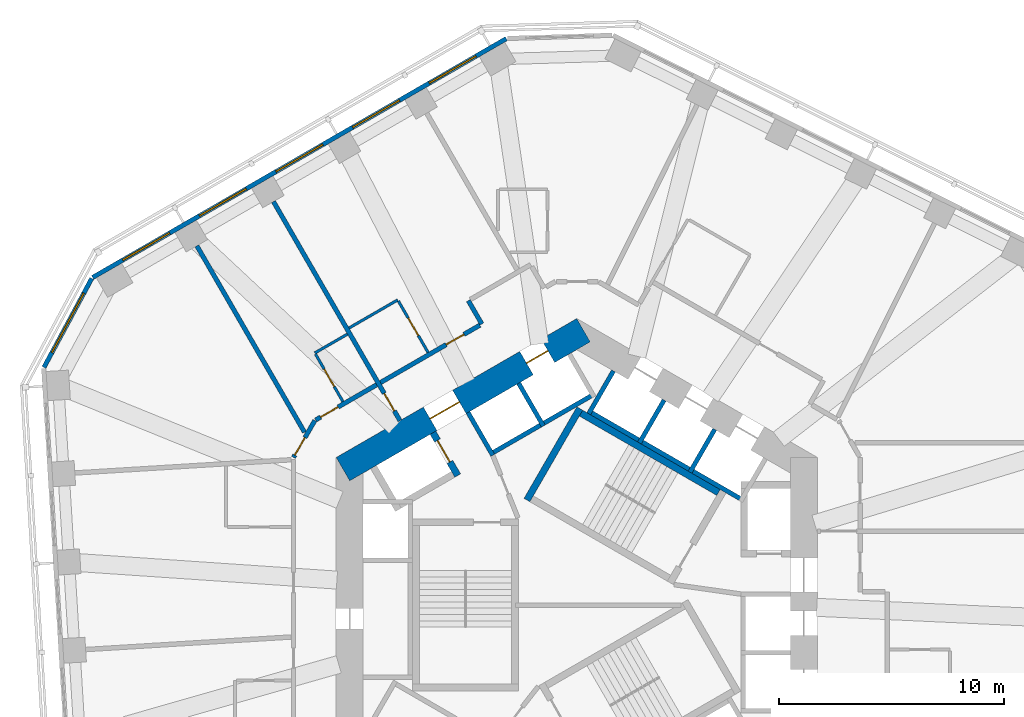
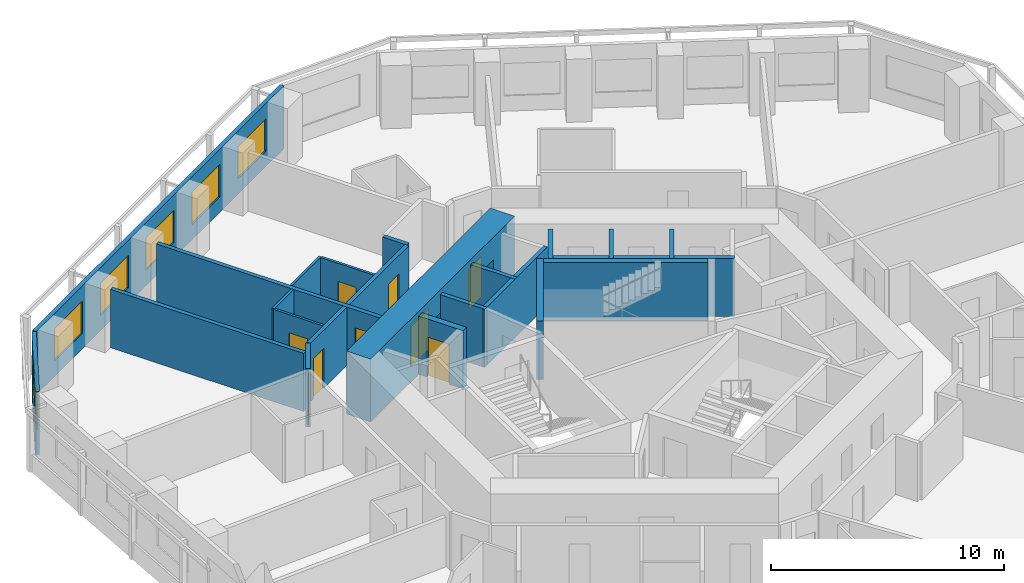
# One storey, part 7 of 11: 23 walls, 9 doors, 6 windows, 15 openings.
"""IFC4 building model written with IfcOpenShell, lengths in metres."""

import ifcopenshell
import ifcopenshell.guid

model = None  # the IFC model being written
_history = None  # IfcOwnerHistory: only IFC2X3 demands one
_inside = {}  # id of a spatial element -> (the spatial element, [elements in it])
_under = {}  # id of a project, library or spatial element -> (it, [spatial elements below it])
_declared = {}  # id of a project -> (the project, [libraries it declares])
_typed = {}  # id of a type object -> (the type object, [elements of that type])
_made_of = {}  # id of a material, layer set ... -> (it, [elements and type objects made of it])


def new_model(schema):
    """Start an empty IFC model of exactly this schema.

    Asked for "IFC4X3", IfcOpenShell would pick the latest addendum, in which some entities
    have other attributes; the version numbers below select the first issue.
    IFC2X3 requires an IfcOwnerHistory on every rooted entity: one is made here for all.
    """
    global model, _history
    if schema == "IFC4X3":
        model = ifcopenshell.file(schema_version=(4, 3, 0, 0))
    else:
        model = ifcopenshell.file(schema=schema)
    _inside.clear()
    _under.clear()
    _declared.clear()
    _typed.clear()
    _made_of.clear()
    _history = None
    if model.schema == "IFC2X3":
        org = make("IfcOrganization", Name="unknown")
        user = make(
            "IfcPersonAndOrganization",
            ThePerson=make("IfcPerson", FamilyName="unknown"),
            TheOrganization=org,
        )
        app = make(
            "IfcApplication",
            ApplicationDeveloper=org,
            Version="unknown",
            ApplicationFullName="unknown",
            ApplicationIdentifier="unknown",
        )
        _history = make(
            "IfcOwnerHistory",
            OwningUser=user,
            OwningApplication=app,
            ChangeAction="ADDED",
            CreationDate=0,
        )
    return model


def make(cls, **values):
    """One entity of the class cls with the attributes given. An attribute that is None is left unset."""
    return model.create_entity(
        cls, **{name: value for name, value in values.items() if value is not None}
    )


def rooted(cls, **values):
    """An entity with a GlobalId (a new one), such as an element, a storey or a relation."""
    return make(cls, GlobalId=ifcopenshell.guid.new(), OwnerHistory=_history, **values)


def si_unit(unit_type, name, prefix=None):
    """IfcSIUnit, for example si_unit("LENGTHUNIT", "METRE", prefix="MILLI")."""
    return make("IfcSIUnit", UnitType=unit_type, Prefix=prefix, Name=name)


def assignment(units):
    """IfcUnitAssignment: the units of a project."""
    return None if units is None else make("IfcUnitAssignment", Units=units)


def point(xyz):
    """IfcCartesianPoint."""
    return None if xyz is None else make("IfcCartesianPoint", Coordinates=xyz)


def direction(xyz):
    """IfcDirection."""
    return None if xyz is None else make("IfcDirection", DirectionRatios=xyz)


def frame(location, z_axis=None, x_axis=None):
    """IfcAxis2Placement3D, a coordinate frame: its origin and axes. An axis left out is left unset."""
    return make(
        "IfcAxis2Placement3D",
        Location=point(location),
        Axis=direction(z_axis),
        RefDirection=direction(x_axis),
    )


def frame_2d(location, x_axis=None):
    """IfcAxis2Placement2D, a coordinate frame in the plane: its origin and x axis."""
    return make(
        "IfcAxis2Placement2D", Location=point(location), RefDirection=direction(x_axis)
    )


def origin():
    """The frame at (0, 0, 0) with its axes left unset."""
    return frame((0.0, 0.0, 0.0))


def place(relative_to, where):
    """IfcLocalPlacement: puts the frame where relative to a parent placement (None: the world)."""
    return make(
        "IfcLocalPlacement", PlacementRelTo=relative_to, RelativePlacement=where
    )


def context(
    kind, dimensions, precision=None, world=None, true_north=None, identifier=None
):
    """IfcGeometricRepresentationContext, for example the 3D "Model" context."""
    return make(
        "IfcGeometricRepresentationContext",
        ContextIdentifier=identifier,
        ContextType=kind,
        CoordinateSpaceDimension=dimensions,
        Precision=precision,
        WorldCoordinateSystem=world,
        TrueNorth=true_north,
    )


def subcontext(parent, identifier, kind, view, scale=None):
    """IfcGeometricRepresentationSubContext, for example "Body" below "Model"."""
    return make(
        "IfcGeometricRepresentationSubContext",
        ContextIdentifier=identifier,
        ContextType=kind,
        ParentContext=parent,
        TargetScale=scale,
        TargetView=view,
    )


def project(units=None, contexts=None):
    """IfcProject with its units and contexts."""
    return rooted(
        "IfcProject",
        Name="project",
        RepresentationContexts=contexts,
        UnitsInContext=assignment(units),
    )


def spatial(cls, under=None, at=None, **own):
    """A site, building, storey or space (cls), placed at a placement, below another one or the project."""
    s = rooted(cls, ObjectPlacement=at, **own)
    if under is not None:
        _under.setdefault(under.id(), (under, []))[1].append(s)
    return s


def profile(cls, at=None, kind="AREA", **sizes):
    """A parametric profile (cls). Its sizes go by their IFC names, for example OverallWidth=200.0."""
    return make(cls, ProfileType=kind, Position=at, **sizes)


def rectangle(**sizes):
    """IfcRectangleProfileDef."""
    return profile("IfcRectangleProfileDef", **sizes)


def extrude(swept, where, along, depth):
    """IfcExtrudedAreaSolid: the profile swept, set in the frame where, extruded along a direction by depth."""
    return make(
        "IfcExtrudedAreaSolid",
        SweptArea=swept,
        Position=where,
        ExtrudedDirection=direction(along),
        Depth=depth,
    )


def shape(context_of_items, identifier, shape_type, items):
    """IfcShapeRepresentation: the items that make up one representation, for example the "Body"."""
    return make(
        "IfcShapeRepresentation",
        ContextOfItems=context_of_items,
        RepresentationIdentifier=identifier,
        RepresentationType=shape_type,
        Items=items,
    )


def material(Name=None, Category=None):
    """IfcMaterial."""
    return make("IfcMaterial", Name=Name, Category=Category)


def layer(
    of_material, thickness, ventilated=None, Name=None, Category=None, Priority=None
):
    """IfcMaterialLayer: one layer of a wall or slab, of a material (None: an air gap)."""
    return make(
        "IfcMaterialLayer",
        Material=of_material,
        LayerThickness=thickness,
        IsVentilated=ventilated,
        Name=Name,
        Category=Category,
        Priority=Priority,
    )


def layer_set(layers, Name=None):
    """IfcMaterialLayerSet."""
    return make("IfcMaterialLayerSet", MaterialLayers=layers, LayerSetName=Name)


def made_of(thing, what):
    """Note that an element or type object is made of a material, layer set ...; save() writes the relation."""
    if what is not None:
        _made_of.setdefault(what.id(), (what, []))[1].append(thing)
    return thing


def type_object(cls, material=None, **own):
    """A type object (cls), such as IfcWallType, which elements share."""
    return made_of(rooted(cls, **own), material)


def element(
    cls,
    number,
    at=None,
    inside=None,
    cuts=None,
    type_object=None,
    material=None,
    context=None,
    identifier="Body",
    shape_type=None,
    held_by="IfcProductDefinitionShape",
    body=None,
    shapes=None,
    **own,
):
    """One element of the class cls, such as IfcWall. Its Tag is "e" and its number.

    at: its placement. inside: the storey or other place that contains it. cuts: it is an
    opening in that element (IfcRelVoidsElement). A single representation is given by context,
    identifier, shape_type and body (its items); several are given by shapes. held_by: the class
    of the entity that holds the representations. save() writes the other relations.
    """
    e = rooted(cls, Tag="e%d" % number, ObjectPlacement=at, **own)
    if body is not None:
        shapes = [shape(context, identifier, shape_type, body)]
    if shapes is not None:
        e.Representation = make(held_by, Representations=shapes)
    if inside is not None:
        _inside.setdefault(inside.id(), (inside, []))[1].append(e)
    if cuts is not None:
        rooted(
            "IfcRelVoidsElement", RelatingBuildingElement=cuts, RelatedOpeningElement=e
        )
    if type_object is not None:
        _typed.setdefault(type_object.id(), (type_object, []))[1].append(e)
    return made_of(e, material)


def fill(opening, filler):
    """IfcRelFillsElement: the door or window that sits in an opening."""
    return rooted(
        "IfcRelFillsElement",
        RelatingOpeningElement=opening,
        RelatedBuildingElement=filler,
    )


def aggregate(whole, parts):
    """IfcRelAggregates: a whole, such as a stair, and the parts it consists of."""
    return rooted("IfcRelAggregates", RelatingObject=whole, RelatedObjects=parts)


def save(model, path):
    """Write the relations noted so far, then the file.

    IfcRelAggregates (storeys below a building ...), IfcRelContainedInSpatialStructure (elements
    in a storey), IfcRelDefinesByType, IfcRelAssociatesMaterial and IfcRelDeclares: one each for
    every whole, place, type object, material and project.
    """
    for whole, parts in _under.values():
        aggregate(whole, parts)
    for where, things in _inside.values():
        rooted(
            "IfcRelContainedInSpatialStructure",
            RelatedElements=things,
            RelatingStructure=where,
        )
    for kind, things in _typed.values():
        rooted("IfcRelDefinesByType", RelatedObjects=things, RelatingType=kind)
    for what, things in _made_of.values():
        rooted("IfcRelAssociatesMaterial", RelatedObjects=things, RelatingMaterial=what)
    for by, libraries in _declared.values():
        rooted("IfcRelDeclares", RelatingContext=by, RelatedDefinitions=libraries)
    model.write(path)


model = new_model("IFC4")

# Units and contexts
model_context = context("Model", 3, precision=1e-05, world=origin(), true_north=direction((0.0, 1.0)))
body_context = subcontext(model_context, "Body", "Model", "MODEL_VIEW")
ifc_project = project(units=[si_unit("LENGTHUNIT", "METRE"), si_unit("AREAUNIT", "SQUARE_METRE"), si_unit("VOLUMEUNIT", "CUBIC_METRE"), si_unit("PLANEANGLEUNIT", "RADIAN"), si_unit("MASSUNIT", "GRAM", prefix="KILO")], contexts=[model_context])

# Site, building, storey
site_placement = place(None, origin())
site = spatial("IfcSite", under=ifc_project, at=site_placement, CompositionType="ELEMENT")
building_placement = place(site_placement, origin())
building = spatial("IfcBuilding", under=site, at=building_placement, Name="Vanh Sen Convention Tower", CompositionType="ELEMENT")
storey_placement = place(building_placement, frame((0.0, 0.0, 100.10009765625)))
storey = spatial("IfcBuildingStorey", under=building, at=storey_placement, Name="L23", CompositionType="ELEMENT", Elevation=100.10009765625)

# Wall
ifc_material_1 = material(Name="Moisture-resistant gypsum board on steel studs", Category="steel")
ifc_layer_1 = layer(ifc_material_1, 0.1201171875)
ifc_layer_set_1 = layer_set([ifc_layer_1], Name="Moisture-resistant gypsum board on steel studs")
wall_type_1 = type_object("IfcWallType", Name="Bathroom partition 120", PredefinedType="PARTITIONING", material=ifc_layer_set_1)
wall_1_placement = place(storey_placement, frame((-11.65087890625, 10.82470703125, 0.0), z_axis=(0.0, 0.0, 1.0), x_axis=(0.865998477143, 0.500046635412, 0.0)))
element("IfcWall", 1, at=wall_1_placement, inside=storey, type_object=wall_type_1, Name="Bathroom partition 120", PredefinedType="PARTITIONING", context=body_context, shape_type="SweptSolid", body=[
    extrude(rectangle(XDim=1.673095703125, YDim=0.1201171875, at=frame_2d((0.83642578125, 0.0))), origin(), (0.0, 0.0, 1.0), 3.0498046875),
])

# Wall, opening, door
wall_2_placement = place(storey_placement, frame((-10.40087890625, 8.65966796875, 0.0), z_axis=(0.0, 0.0, 1.0), x_axis=(-0.500077547548, 0.865980627057, 0.0)))
wall_2 = element("IfcWall", 2, at=wall_2_placement, inside=storey, type_object=wall_type_1, Name="Bathroom partition 120", PredefinedType="PARTITIONING", context=body_context, shape_type="SweptSolid", body=[
    extrude(rectangle(XDim=2.43994140625, YDim=0.1201171875, at=frame_2d((1.219970703125, 0.0))), origin(), (0.0, 0.0, 1.0), 3.0498046875),
])
opening_1_placement = place(wall_2_placement, frame((0.77001953125, 0.0, 0.0)))
opening_1 = element("IfcOpeningElement", 3, at=opening_1_placement, cuts=wall_2, Name="Opening D22112", PredefinedType="OPENING", context=body_context, shape_type="SweptSolid", body=[
    extrude(rectangle(XDim=0.89990234375, YDim=2.10009765625, at=frame_2d((0.449951171875, 1.050048828125))), frame((0.0, 0.070068359375, 0.0), z_axis=(0.0, -1.0, 0.0), x_axis=(1.0, 0.0, 0.0)), (0.0, 0.0, 1.0), 0.14013671875),
])
ifc_material_2 = material(Name="Laminate door in steel frame", Category="steel")
door_type_1 = type_object("IfcDoorType", Name="En-suite door 900", OperationType="SINGLE_SWING_LEFT", PredefinedType="DOOR", material=ifc_material_2)
door_1_placement = place(opening_1_placement, origin())
door_1 = element("IfcDoor", 4, at=door_1_placement, inside=storey, type_object=door_type_1, Name="En-suite door D22112", OperationType="SINGLE_SWING_LEFT", OverallHeight=2.10009765625, OverallWidth=0.89990234375, PredefinedType="DOOR", context=body_context, shape_type="SweptSolid", body=[
    extrude(rectangle(XDim=0.89990234375, YDim=2.10009765625, at=frame_2d((0.449951171875, 1.050048828125))), frame((0.0, 0.02490234375, 0.0), z_axis=(0.0, -1.0, 0.0), x_axis=(1.0, 0.0, 0.0)), (0.0, 0.0, 1.0), 0.050048828125),
])
fill(opening_1, door_1)

# Wall
wall_3_placement = place(storey_placement, frame((-10.12890625, 11.9345703125, 0.0), z_axis=(0.0, 0.0, 1.0), x_axis=(0.866047370643, 0.499961950354, 0.0)))
element("IfcWall", 5, at=wall_3_placement, inside=storey, type_object=wall_type_1, Name="Bathroom partition 120", PredefinedType="PARTITIONING", context=body_context, shape_type="SweptSolid", body=[
    extrude(rectangle(XDim=2.500244140625, YDim=0.1201171875, at=frame_2d((1.25, 0.0))), origin(), (0.0, 0.0, 1.0), 3.0498046875),
])

# Wall, opening, door
wall_4_placement = place(storey_placement, frame((-7.93359375, 13.132568359375, 0.0), z_axis=(0.0, 0.0, 1.0), x_axis=(0.499938597367, -0.866060851709, 0.0)))
wall_4 = element("IfcWall", 6, at=wall_4_placement, inside=storey, type_object=wall_type_1, Name="Bathroom partition 120", PredefinedType="PARTITIONING", context=body_context, shape_type="SweptSolid", body=[
    extrude(rectangle(XDim=2.639892578125, YDim=0.1201171875, at=frame_2d((1.31982421875, 0.0))), origin(), (0.0, 0.0, 1.0), 3.0498046875),
])
opening_2_placement = place(wall_4_placement, frame((0.8701171875, 0.0, 0.0)))
opening_2 = element("IfcOpeningElement", 7, at=opening_2_placement, cuts=wall_4, Name="Opening D22110", PredefinedType="OPENING", context=body_context, shape_type="SweptSolid", body=[
    extrude(rectangle(XDim=0.89990234375, YDim=2.10009765625, at=frame_2d((0.449951171875, 1.050048828125))), frame((0.0, 0.070068359375, 0.0), z_axis=(0.0, -1.0, 0.0), x_axis=(1.0, 0.0, 0.0)), (0.0, 0.0, 1.0), 0.14013671875),
])
door_2_placement = place(opening_2_placement, origin())
door_2 = element("IfcDoor", 8, at=door_2_placement, inside=storey, type_object=door_type_1, Name="En-suite door D22110", OperationType="SINGLE_SWING_LEFT", OverallHeight=2.10009765625, OverallWidth=0.89990234375, PredefinedType="DOOR", context=body_context, shape_type="SweptSolid", body=[
    extrude(rectangle(XDim=0.89990234375, YDim=2.10009765625, at=frame_2d((0.449951171875, 1.050048828125))), frame((0.0, 0.02490234375, 0.0), z_axis=(0.0, -1.0, 0.0), x_axis=(1.0, 0.0, 0.0)), (0.0, 0.0, 1.0), 0.050048828125),
])
fill(opening_2, door_2)

# Wall, openings, doors
ifc_material_3 = material(Name="Concrete C80/95", Category="concrete")
ifc_layer_2 = layer(ifc_material_3, 1.199951171875)
ifc_layer_set_2 = layer_set([ifc_layer_2], Name="Concrete C80/95")
wall_type_2 = type_object("IfcWallType", Name="Core outer wall 1200 C80/95", PredefinedType="SHEAR", material=ifc_layer_set_2)
wall_5_placement = place(storey_placement, frame((0.300048828125, 11.835693359375, 0.0), z_axis=(0.0, 0.0, 1.0), x_axis=(-0.866021384402, -0.500006961711, 0.0)))
wall_5 = element("IfcWall", 9, at=wall_5_placement, inside=storey, type_object=wall_type_2, Name="Core wall face NW L23", PredefinedType="SHEAR", context=body_context, shape_type="SweptSolid", body=[
    extrude(rectangle(XDim=12.355224609375, YDim=1.199951171875, at=frame_2d((6.177734375, 0.0))), origin(), (0.0, 0.0, 1.0), 3.2998046875),
])
opening_3_placement = place(wall_5_placement, frame((6.377685546875, 0.0, 0.0)))
opening_3 = element("IfcOpeningElement", 10, at=opening_3_placement, cuts=wall_5, Name="Opening D22002", PredefinedType="OPENING", context=body_context, shape_type="SweptSolid", body=[
    extrude(rectangle(XDim=1.5, YDim=2.10009765625, at=frame_2d((0.75, 1.050048828125))), frame((0.0, 0.60986328125, 0.0), z_axis=(0.0, -1.0, 0.0), x_axis=(1.0, 0.0, 0.0)), (0.0, 0.0, 1.0), 1.219970703125),
])
opening_4_placement = place(wall_5_placement, frame((1.82763671875, 0.0, 0.0)))
opening_4 = element("IfcOpeningElement", 11, at=opening_4_placement, cuts=wall_5, Name="Opening LD-LR6", PredefinedType="OPENING", context=body_context, shape_type="SweptSolid", body=[
    extrude(rectangle(XDim=1.10009765625, YDim=2.10009765625, at=frame_2d((0.550048828125, 1.050048828125))), frame((0.0, 0.60986328125, 0.0), z_axis=(0.0, -1.0, 0.0), x_axis=(1.0, 0.0, 0.0)), (0.0, 0.0, 1.0), 1.219970703125),
])
ifc_material_4 = material(Name="Stainless steel", Category="steel")
door_type_2 = type_object("IfcDoorType", Name="Lift landing door 1100", OperationType="DOUBLE_DOOR_SLIDING", PredefinedType="DOOR", material=ifc_material_4)
door_3_placement = place(opening_4_placement, origin())
door_3 = element("IfcDoor", 12, at=door_3_placement, inside=storey, type_object=door_type_2, Name="Lift LR6 landing door LD-LR6", OperationType="DOUBLE_DOOR_SLIDING", OverallHeight=2.10009765625, OverallWidth=1.10009765625, PredefinedType="DOOR", context=body_context, shape_type="SweptSolid", body=[
    extrude(rectangle(XDim=1.10009765625, YDim=2.10009765625, at=frame_2d((0.550048828125, 1.050048828125))), frame((0.0, 0.02490234375, 0.0), z_axis=(0.0, -1.0, 0.0), x_axis=(1.0, 0.0, 0.0)), (0.0, 0.0, 1.0), 0.050048828125),
])
fill(opening_4, door_3)
ifc_material_5 = material(Name="Steel S355", Category="steel")
door_type_3 = type_object("IfcDoorType", Name="Stair lobby door 1500", OperationType="DOUBLE_DOOR_SINGLE_SWING", PredefinedType="DOOR", material=ifc_material_5)
door_4_placement = place(opening_3_placement, origin())
door_4 = element("IfcDoor", 13, at=door_4_placement, inside=storey, type_object=door_type_3, Name="Stair lobby door D22002", OperationType="DOUBLE_DOOR_SINGLE_SWING", OverallHeight=2.10009765625, OverallWidth=1.5, PredefinedType="DOOR", context=body_context, shape_type="SweptSolid", body=[
    extrude(rectangle(XDim=1.5, YDim=2.10009765625, at=frame_2d((0.75, 1.050048828125))), frame((0.0, 0.02490234375, 0.0), z_axis=(0.0, -1.0, 0.0), x_axis=(1.0, 0.0, 0.0)), (0.0, 0.0, 1.0), 0.050048828125),
])
fill(opening_3, door_4)

# Wall, opening, door
ifc_material_6 = material(Name="Gypsum board on steel studs with mineral wool", Category="steel")
ifc_layer_3 = layer(ifc_material_6, 0.199951171875)
ifc_layer_set_3 = layer_set([ifc_layer_3], Name="Gypsum board on steel studs with mineral wool")
wall_type_3 = type_object("IfcWallType", Name="Corridor partition wall 200", PredefinedType="PARTITIONING", material=ifc_layer_set_3)
wall_6_placement = place(storey_placement, frame((-11.64990234375, 7.822998046875, 0.0), z_axis=(0.0, 0.0, 1.0), x_axis=(-0.500063520245, -0.865988727248, 0.0)))
wall_6 = element("IfcWall", 14, at=wall_6_placement, inside=storey, type_object=wall_type_3, Name="Corridor partition wall 200", PredefinedType="PARTITIONING", context=body_context, shape_type="SweptSolid", body=[
    extrude(rectangle(XDim=1.900146484375, YDim=0.199951171875, at=frame_2d((0.9501953125, 0.0))), origin(), (0.0, 0.0, 1.0), 3.0498046875),
])
opening_5_placement = place(wall_6_placement, frame((0.8818359375, 0.0, 0.0)))
opening_5 = element("IfcOpeningElement", 15, at=opening_5_placement, cuts=wall_6, Name="Opening D22113", PredefinedType="OPENING", context=body_context, shape_type="SweptSolid", body=[
    extrude(rectangle(XDim=0.89990234375, YDim=2.10009765625, at=frame_2d((0.449951171875, 1.050048828125))), frame((0.0, 0.10986328125, 0.0), z_axis=(0.0, -1.0, 0.0), x_axis=(1.0, 0.0, 0.0)), (0.0, 0.0, 1.0), 0.219970703125),
])
ifc_material_7 = material(Name="Timber fire door in steel frame", Category="steel")
door_type_4 = type_object("IfcDoorType", Name="Floor room door 900", OperationType="SINGLE_SWING_LEFT", PredefinedType="DOOR", material=ifc_material_7)
door_5_placement = place(opening_5_placement, origin())
door_5 = element("IfcDoor", 16, at=door_5_placement, inside=storey, type_object=door_type_4, Name="Meeting and amenity room door D22113", OperationType="SINGLE_SWING_LEFT", OverallHeight=2.10009765625, OverallWidth=0.89990234375, PredefinedType="DOOR", context=body_context, shape_type="SweptSolid", body=[
    extrude(rectangle(XDim=0.89990234375, YDim=2.10009765625, at=frame_2d((0.449951171875, 1.050048828125))), frame((0.0, 0.02490234375, 0.0), z_axis=(0.0, -1.0, 0.0), x_axis=(1.0, 0.0, 0.0)), (0.0, 0.0, 1.0), 0.050048828125),
])
fill(opening_5, door_5)

wall_7_placement = place(storey_placement, frame((-8.902099609375, 9.40966796875, 0.0), z_axis=(0.0, 0.0, 1.0), x_axis=(-0.866014299198, -0.500019233215, 0.0)))
wall_7 = element("IfcWall", 17, at=wall_7_placement, inside=storey, type_object=wall_type_3, Name="Corridor partition wall 200", PredefinedType="PARTITIONING", context=body_context, shape_type="SweptSolid", body=[
    extrude(rectangle(XDim=3.13330078125, YDim=0.199951171875, at=frame_2d((1.566650390625, 0.0))), origin(), (0.0, 0.0, 1.0), 3.0498046875),
])
opening_6_placement = place(wall_7_placement, frame((1.97802734375, 0.0, 0.0)))
opening_6 = element("IfcOpeningElement", 18, at=opening_6_placement, cuts=wall_7, Name="Opening D22111", PredefinedType="OPENING", context=body_context, shape_type="SweptSolid", body=[
    extrude(rectangle(XDim=0.89990234375, YDim=2.10009765625, at=frame_2d((0.449951171875, 1.050048828125))), frame((0.0, 0.10986328125, 0.0), z_axis=(0.0, -1.0, 0.0), x_axis=(1.0, 0.0, 0.0)), (0.0, 0.0, 1.0), 0.219970703125),
])
door_type_5 = type_object("IfcDoorType", Name="Guest room door 900", OperationType="SINGLE_SWING_LEFT", PredefinedType="DOOR", material=ifc_material_7)
door_6_placement = place(opening_6_placement, origin())
door_6 = element("IfcDoor", 19, at=door_6_placement, inside=storey, type_object=door_type_5, Name="Hotel guest room door D22111", OperationType="SINGLE_SWING_LEFT", OverallHeight=2.10009765625, OverallWidth=0.89990234375, PredefinedType="DOOR", context=body_context, shape_type="SweptSolid", body=[
    extrude(rectangle(XDim=0.89990234375, YDim=2.10009765625, at=frame_2d((0.449951171875, 1.050048828125))), frame((0.0, 0.02490234375, 0.0), z_axis=(0.0, -1.0, 0.0), x_axis=(1.0, 0.0, 0.0)), (0.0, 0.0, 1.0), 0.050048828125),
])
fill(opening_6, door_6)

# Wall
wall_8_placement = place(storey_placement, frame((-4.822998046875, 13.151611328125, 0.0), z_axis=(0.0, 0.0, 1.0), x_axis=(0.499986357472, -0.866033280158, 0.0)))
element("IfcWall", 20, at=wall_8_placement, inside=storey, type_object=wall_type_3, Name="Corridor partition wall 200", PredefinedType="PARTITIONING", context=body_context, shape_type="SweptSolid", body=[
    extrude(rectangle(XDim=1.201171875, YDim=0.199951171875, at=frame_2d((0.6005859375, 0.0))), origin(), (0.0, 0.0, 1.0), 3.0498046875),
])

# Wall, opening, door
wall_9_placement = place(storey_placement, frame((-4.30908203125, 12.061279296875, 0.0), z_axis=(0.0, 0.0, 1.0), x_axis=(-0.866020679205, -0.500008183122, 0.0)))
wall_9 = element("IfcWall", 21, at=wall_9_placement, inside=storey, type_object=wall_type_3, Name="Corridor partition wall 200", PredefinedType="PARTITIONING", context=body_context, shape_type="SweptSolid", body=[
    extrude(rectangle(XDim=5.103515625, YDim=0.199951171875, at=frame_2d((2.5517578125, 0.0))), origin(), (0.0, 0.0, 1.0), 3.0498046875),
])
opening_7_placement = place(wall_9_placement, frame((0.826904296875, 0.0, 0.0)))
opening_7 = element("IfcOpeningElement", 22, at=opening_7_placement, cuts=wall_9, Name="Opening D22109", PredefinedType="OPENING", context=body_context, shape_type="SweptSolid", body=[
    extrude(rectangle(XDim=0.89990234375, YDim=2.10009765625, at=frame_2d((0.449951171875, 1.050048828125))), frame((0.0, 0.10986328125, 0.0), z_axis=(0.0, -1.0, 0.0), x_axis=(1.0, 0.0, 0.0)), (0.0, 0.0, 1.0), 0.219970703125),
])
door_7_placement = place(opening_7_placement, origin())
door_7 = element("IfcDoor", 23, at=door_7_placement, inside=storey, type_object=door_type_5, Name="Hotel guest room door D22109", OperationType="SINGLE_SWING_LEFT", OverallHeight=2.10009765625, OverallWidth=0.89990234375, PredefinedType="DOOR", context=body_context, shape_type="SweptSolid", body=[
    extrude(rectangle(XDim=0.89990234375, YDim=2.10009765625, at=frame_2d((0.449951171875, 1.050048828125))), frame((0.0, 0.02490234375, 0.0), z_axis=(0.0, -1.0, 0.0), x_axis=(1.0, 0.0, 0.0)), (0.0, 0.0, 1.0), 0.050048828125),
])
fill(opening_7, door_7)

# Wall, openings, windows
ifc_material_8 = material(Name="Insulated lightweight infill wall")
ifc_layer_4 = layer(ifc_material_8, 0.199951171875)
ifc_layer_set_4 = layer_set([ifc_layer_4], Name="Insulated lightweight infill wall")
wall_type_4 = type_object("IfcWallType", Name="External wall 200", PredefinedType="STANDARD", material=ifc_layer_set_4)
wall_10_placement = place(storey_placement, frame((-3.135986328125, 24.80517578125, 0.0), z_axis=(0.0, 0.0, 1.0), x_axis=(-0.866028291626, -0.499994998079, 0.0)))
wall_10 = element("IfcWall", 24, at=wall_10_placement, inside=storey, type_object=wall_type_4, Name="External wall NW L23", PredefinedType="STANDARD", context=body_context, shape_type="SweptSolid", body=[
    extrude(rectangle(XDim=21.246337890625, YDim=0.199951171875, at=frame_2d((10.623046875, 0.0))), origin(), (0.0, 0.0, 1.0), 3.2998046875),
])
opening_8_placement = place(wall_10_placement, frame((1.5546875, 0.0, 0.800048828125)))
opening_8 = element("IfcOpeningElement", 25, at=opening_8_placement, cuts=wall_10, Name="Opening WH1-NW1", PredefinedType="OPENING", context=body_context, shape_type="SweptSolid", body=[
    extrude(rectangle(XDim=2.39990234375, YDim=1.699951171875, at=frame_2d((1.199951171875, 0.85009765625))), frame((0.0, 0.10986328125, 0.0), z_axis=(0.0, -1.0, 0.0), x_axis=(1.0, 0.0, 0.0)), (0.0, 0.0, 1.0), 0.219970703125),
])
opening_9_placement = place(wall_10_placement, frame((5.4892578125, 0.0, 0.800048828125)))
opening_9 = element("IfcOpeningElement", 26, at=opening_9_placement, cuts=wall_10, Name="Opening WH1-NW2", PredefinedType="OPENING", context=body_context, shape_type="SweptSolid", body=[
    extrude(rectangle(XDim=2.39990234375, YDim=1.699951171875, at=frame_2d((1.199951171875, 0.85009765625))), frame((0.0, 0.10986328125, 0.0), z_axis=(0.0, -1.0, 0.0), x_axis=(1.0, 0.0, 0.0)), (0.0, 0.0, 1.0), 0.219970703125),
])
opening_10_placement = place(wall_10_placement, frame((9.423828125, 0.0, 0.800048828125)))
opening_10 = element("IfcOpeningElement", 27, at=opening_10_placement, cuts=wall_10, Name="Opening WH1-NW3", PredefinedType="OPENING", context=body_context, shape_type="SweptSolid", body=[
    extrude(rectangle(XDim=2.39990234375, YDim=1.699951171875, at=frame_2d((1.199951171875, 0.85009765625))), frame((0.0, 0.10986328125, 0.0), z_axis=(0.0, -1.0, 0.0), x_axis=(1.0, 0.0, 0.0)), (0.0, 0.0, 1.0), 0.219970703125),
])
opening_11_placement = place(wall_10_placement, frame((13.3583984375, 0.0, 0.800048828125)))
opening_11 = element("IfcOpeningElement", 28, at=opening_11_placement, cuts=wall_10, Name="Opening WH1-NW4", PredefinedType="OPENING", context=body_context, shape_type="SweptSolid", body=[
    extrude(rectangle(XDim=2.39990234375, YDim=1.699951171875, at=frame_2d((1.199951171875, 0.85009765625))), frame((0.0, 0.10986328125, 0.0), z_axis=(0.0, -1.0, 0.0), x_axis=(1.0, 0.0, 0.0)), (0.0, 0.0, 1.0), 0.219970703125),
])
opening_12_placement = place(wall_10_placement, frame((17.293212890625, 0.0, 0.800048828125)))
opening_12 = element("IfcOpeningElement", 29, at=opening_12_placement, cuts=wall_10, Name="Opening WH1-NW5", PredefinedType="OPENING", context=body_context, shape_type="SweptSolid", body=[
    extrude(rectangle(XDim=2.39990234375, YDim=1.699951171875, at=frame_2d((1.199951171875, 0.85009765625))), frame((0.0, 0.10986328125, 0.0), z_axis=(0.0, -1.0, 0.0), x_axis=(1.0, 0.0, 0.0)), (0.0, 0.0, 1.0), 0.219970703125),
])
ifc_material_9 = material(Name="Aluminium frame with clear low-emissivity glass", Category="aluminium")
window_type_1 = type_object("IfcWindowType", Name="Hotel window 2400 x 1700", PartitioningType="SINGLE_PANEL", PredefinedType="WINDOW", material=ifc_material_9)
window_1_placement = place(opening_8_placement, origin())
window_1 = element("IfcWindow", 30, at=window_1_placement, inside=storey, type_object=window_type_1, Name="Window WH1-NW1", OverallHeight=1.699951171875, OverallWidth=2.39990234375, PartitioningType="SINGLE_PANEL", PredefinedType="WINDOW", context=body_context, shape_type="SweptSolid", body=[
    extrude(rectangle(XDim=2.39990234375, YDim=1.699951171875, at=frame_2d((1.199951171875, 0.85009765625))), frame((0.0, 0.030029296875, 0.0), z_axis=(0.0, -1.0, 0.0), x_axis=(1.0, 0.0, 0.0)), (0.0, 0.0, 1.0), 0.06005859375),
])
fill(opening_8, window_1)
window_2_placement = place(opening_9_placement, origin())
window_2 = element("IfcWindow", 31, at=window_2_placement, inside=storey, type_object=window_type_1, Name="Window WH1-NW2", OverallHeight=1.699951171875, OverallWidth=2.39990234375, PartitioningType="SINGLE_PANEL", PredefinedType="WINDOW", context=body_context, shape_type="SweptSolid", body=[
    extrude(rectangle(XDim=2.39990234375, YDim=1.699951171875, at=frame_2d((1.199951171875, 0.85009765625))), frame((0.0, 0.030029296875, 0.0), z_axis=(0.0, -1.0, 0.0), x_axis=(1.0, 0.0, 0.0)), (0.0, 0.0, 1.0), 0.06005859375),
])
fill(opening_9, window_2)
window_3_placement = place(opening_10_placement, origin())
window_3 = element("IfcWindow", 32, at=window_3_placement, inside=storey, type_object=window_type_1, Name="Window WH1-NW3", OverallHeight=1.699951171875, OverallWidth=2.39990234375, PartitioningType="SINGLE_PANEL", PredefinedType="WINDOW", context=body_context, shape_type="SweptSolid", body=[
    extrude(rectangle(XDim=2.39990234375, YDim=1.699951171875, at=frame_2d((1.199951171875, 0.85009765625))), frame((0.0, 0.030029296875, 0.0), z_axis=(0.0, -1.0, 0.0), x_axis=(1.0, 0.0, 0.0)), (0.0, 0.0, 1.0), 0.06005859375),
])
fill(opening_10, window_3)
window_4_placement = place(opening_11_placement, origin())
window_4 = element("IfcWindow", 33, at=window_4_placement, inside=storey, type_object=window_type_1, Name="Window WH1-NW4", OverallHeight=1.699951171875, OverallWidth=2.39990234375, PartitioningType="SINGLE_PANEL", PredefinedType="WINDOW", context=body_context, shape_type="SweptSolid", body=[
    extrude(rectangle(XDim=2.39990234375, YDim=1.699951171875, at=frame_2d((1.199951171875, 0.85009765625))), frame((0.0, 0.030029296875, 0.0), z_axis=(0.0, -1.0, 0.0), x_axis=(1.0, 0.0, 0.0)), (0.0, 0.0, 1.0), 0.06005859375),
])
fill(opening_11, window_4)
window_5_placement = place(opening_12_placement, origin())
window_5 = element("IfcWindow", 34, at=window_5_placement, inside=storey, type_object=window_type_1, Name="Window WH1-NW5", OverallHeight=1.699951171875, OverallWidth=2.39990234375, PartitioningType="SINGLE_PANEL", PredefinedType="WINDOW", context=body_context, shape_type="SweptSolid", body=[
    extrude(rectangle(XDim=2.39990234375, YDim=1.699951171875, at=frame_2d((1.199951171875, 0.85009765625))), frame((0.0, 0.030029296875, 0.0), z_axis=(0.0, -1.0, 0.0), x_axis=(1.0, 0.0, 0.0)), (0.0, 0.0, 1.0), 0.06005859375),
])
fill(opening_12, window_5)

# Wall, opening, window
wall_11_placement = place(storey_placement, frame((-21.573974609375, 14.142822265625, 0.0), z_axis=(0.0, 0.0, 1.0), x_axis=(-0.473292949472, -0.880905093628, 0.0)))
wall_11 = element("IfcWall", 35, at=wall_11_placement, inside=storey, type_object=wall_type_4, Name="External wall CH3 L23", PredefinedType="STANDARD", context=body_context, shape_type="SweptSolid", body=[
    extrude(rectangle(XDim=4.493896484375, YDim=0.199951171875, at=frame_2d((2.2470703125, 0.0))), origin(), (0.0, 0.0, 1.0), 3.2998046875),
])
opening_13_placement = place(wall_11_placement, frame((0.746826171875, 0.0, 0.800048828125)))
opening_13 = element("IfcOpeningElement", 36, at=opening_13_placement, cuts=wall_11, Name="Opening WH2-CH31", PredefinedType="OPENING", context=body_context, shape_type="SweptSolid", body=[
    extrude(rectangle(XDim=3.0, YDim=1.699951171875, at=frame_2d((1.5, 0.85009765625))), frame((0.0, 0.10986328125, 0.0), z_axis=(0.0, -1.0, 0.0), x_axis=(1.0, 0.0, 0.0)), (0.0, 0.0, 1.0), 0.219970703125),
])
window_type_2 = type_object("IfcWindowType", Name="Hotel window 3000 x 1700", PartitioningType="SINGLE_PANEL", PredefinedType="WINDOW", material=ifc_material_9)
window_6_placement = place(opening_13_placement, origin())
window_6 = element("IfcWindow", 37, at=window_6_placement, inside=storey, type_object=window_type_2, Name="Window WH2-CH31", OverallHeight=1.699951171875, OverallWidth=3.0, PartitioningType="SINGLE_PANEL", PredefinedType="WINDOW", context=body_context, shape_type="SweptSolid", body=[
    extrude(rectangle(XDim=3.0, YDim=1.699951171875, at=frame_2d((1.5, 0.85009765625))), frame((0.0, 0.030029296875, 0.0), z_axis=(0.0, -1.0, 0.0), x_axis=(1.0, 0.0, 0.0)), (0.0, 0.0, 1.0), 0.06005859375),
])
fill(opening_13, window_6)

# Wall, opening, door
ifc_material_10 = material(Name="Concrete C60/75", Category="concrete")
ifc_layer_5 = layer(ifc_material_10, 0.300048828125)
ifc_layer_set_5 = layer_set([ifc_layer_5], Name="Concrete C60/75")
wall_type_5 = type_object("IfcWallType", Name="Fire-fighting lift shaft wall 300", PredefinedType="SHEAR", material=ifc_layer_set_5)
wall_12_placement = place(storey_placement, frame((-5.29541015625, 5.3720703125, 0.0), z_axis=(0.0, 0.0, 1.0), x_axis=(-0.500077893725, 0.86598042715, 0.0)))
wall_12 = element("IfcWall", 38, at=wall_12_placement, inside=storey, type_object=wall_type_5, Name="Fire-fighting lift shaft wall L23", PredefinedType="SHEAR", context=body_context, shape_type="SweptSolid", body=[
    extrude(rectangle(XDim=2.199951171875, YDim=0.300048828125, at=frame_2d((1.10009765625, 0.0))), origin(), (0.0, 0.0, 1.0), 3.0498046875),
])
opening_14_placement = place(wall_12_placement, frame((0.699951171875, 0.0, 0.0)))
opening_14 = element("IfcOpeningElement", 39, at=opening_14_placement, cuts=wall_12, Name="Opening LD-FF2", PredefinedType="OPENING", context=body_context, shape_type="SweptSolid", body=[
    extrude(rectangle(XDim=1.10009765625, YDim=2.10009765625, at=frame_2d((0.550048828125, 1.050048828125))), frame((0.0, 0.159912109375, 0.0), z_axis=(0.0, -1.0, 0.0), x_axis=(1.0, 0.0, 0.0)), (0.0, 0.0, 1.0), 0.320068359375),
])
door_type_6 = type_object("IfcDoorType", Name="Fire-fighting lift landing door 1100", OperationType="DOUBLE_DOOR_SLIDING", PredefinedType="DOOR", material=ifc_material_4)
door_8_placement = place(opening_14_placement, origin())
door_8 = element("IfcDoor", 40, at=door_8_placement, inside=storey, type_object=door_type_6, Name="Lift FF2 landing door LD-FF2", OperationType="DOUBLE_DOOR_SLIDING", OverallHeight=2.10009765625, OverallWidth=1.10009765625, PredefinedType="DOOR", context=body_context, shape_type="SweptSolid", body=[
    extrude(rectangle(XDim=1.10009765625, YDim=2.10009765625, at=frame_2d((0.550048828125, 1.050048828125))), frame((0.0, 0.02490234375, 0.0), z_axis=(0.0, -1.0, 0.0), x_axis=(1.0, 0.0, 0.0)), (0.0, 0.0, 1.0), 0.050048828125),
])
fill(opening_14, door_8)

# Walls
ifc_layer_6 = layer(ifc_material_6, 0.199951171875)
ifc_layer_set_6 = layer_set([ifc_layer_6], Name="Gypsum board on steel studs with mineral wool")
wall_type_6 = type_object("IfcWallType", Name="Hotel party wall 200", PredefinedType="PARTITIONING", material=ifc_layer_set_6)
wall_13_placement = place(storey_placement, frame((-16.89794921875, 15.589599609375, 0.0), z_axis=(0.0, 0.0, 1.0), x_axis=(0.500023458698, -0.866011859475, 0.0)))
element("IfcWall", 41, at=wall_13_placement, inside=storey, type_object=wall_type_6, Name="Hotel party wall 200", PredefinedType="PARTITIONING", context=body_context, shape_type="SweptSolid", body=[
    extrude(rectangle(XDim=9.57177734375, YDim=0.199951171875, at=frame_2d((4.785888671875, 0.0))), origin(), (0.0, 0.0, 1.0), 3.0498046875),
])
ifc_material_11 = material(Name="Concrete C40/50", Category="concrete")
ifc_layer_7 = layer(ifc_material_11, 0.199951171875)
ifc_layer_set_7 = layer_set([ifc_layer_7], Name="Concrete C40/50")
wall_type_7 = type_object("IfcWallType", Name="Lift shaft wall 200", PredefinedType="PARTITIONING", material=ifc_layer_set_7)
wall_14_placement = place(storey_placement, frame((7.423828125, 4.258544921875, 0.0), z_axis=(0.0, 0.0, 1.0), x_axis=(-0.866026010844, 0.49999894854, 0.0)))
element("IfcWall", 42, at=wall_14_placement, inside=storey, type_object=wall_type_7, Name="Lift shaft wall L23", PredefinedType="PARTITIONING", context=body_context, shape_type="SweptSolid", body=[
    extrude(rectangle(XDim=8.0, YDim=0.199951171875, at=frame_2d((4.0, 0.0))), origin(), (0.0, 0.0, 1.0), 3.0498046875),
])
for number, where, z_axis, x_axis, name in (
    (43, (5.03564453125, 5.52197265625, 0.0), (0.0, 0.0, 1.0), (0.499946605688, 0.86605622881, 0.0), "Lift shaft wall L23"),
    (44, (2.783935546875, 6.822021484375, 0.0), (0.0, 0.0, 1.0), (0.50002983664, 0.866008176907, 0.0), "Lift shaft wall L23"),
    (45, (0.5322265625, 8.1220703125, 0.0), (0.0, 0.0, 1.0), (0.500077893725, 0.86598042715, 0.0), "Lift shaft wall L23"),
):
    element("IfcWall", number, at=place(storey_placement, frame(where, z_axis=z_axis, x_axis=x_axis)), inside=storey, type_object=wall_type_7, Name=name, PredefinedType="PARTITIONING", context=body_context, shape_type="SweptSolid", body=[
        extrude(rectangle(XDim=2.199951171875, YDim=0.199951171875, at=frame_2d((1.10009765625, 0.0))), origin(), (0.0, 0.0, 1.0), 3.0498046875),
    ])
wall_15_placement = place(storey_placement, frame((0.80322265625, 9.008544921875, 0.0), z_axis=(0.0, 0.0, 1.0), x_axis=(-0.866028230842, -0.499995103361, 0.0)))
element("IfcWall", 46, at=wall_15_placement, inside=storey, type_object=wall_type_7, Name="Lift shaft wall L23", PredefinedType="PARTITIONING", context=body_context, shape_type="SweptSolid", body=[
    extrude(rectangle(XDim=5.39990234375, YDim=0.199951171875, at=frame_2d((2.699951171875, 0.0))), origin(), (0.0, 0.0, 1.0), 3.0498046875),
])
for number, where, z_axis, x_axis, name in (
    (47, (-1.48486328125, 7.572021484375, 0.0), (0.0, 0.0, 1.0), (-0.50002983664, 0.866008176907, 0.0), "Lift shaft wall L23"),
    (48, (-3.736572265625, 6.27197265625, 0.0), (0.0, 0.0, 1.0), (-0.50002983664, 0.866008176907, 0.0), "Lift shaft wall L23"),
):
    element("IfcWall", number, at=place(storey_placement, frame(where, z_axis=z_axis, x_axis=x_axis)), inside=storey, type_object=wall_type_7, Name=name, PredefinedType="PARTITIONING", context=body_context, shape_type="SweptSolid", body=[
        extrude(rectangle(XDim=2.199951171875, YDim=0.199951171875, at=frame_2d((1.10009765625, 0.0))), origin(), (0.0, 0.0, 1.0), 3.0498046875),
    ])
ifc_layer_8 = layer(ifc_material_10, 0.300048828125)
ifc_layer_set_8 = layer_set([ifc_layer_8], Name="Concrete C60/75")
wall_type_8 = type_object("IfcWallType", Name="Stair wall 300", PredefinedType="SHEAR", material=ifc_layer_set_8)
wall_16_placement = place(storey_placement, frame((-2.216064453125, 4.28173828125, 0.0), z_axis=(0.0, 0.0, 1.0), x_axis=(0.499977259774, 0.866038532462, 0.0)))
element("IfcWall", 49, at=wall_16_placement, inside=storey, type_object=wall_type_8, Name="Stair wall L23", PredefinedType="SHEAR", context=body_context, shape_type="SweptSolid", body=[
    extrude(rectangle(XDim=4.699951171875, YDim=0.300048828125, at=frame_2d((2.35009765625, 0.0))), origin(), (0.0, 0.0, 1.0), 3.0498046875),
])
wall_17_placement = place(storey_placement, frame((6.302978515625, 4.6171875, 0.0), z_axis=(0.0, 0.0, 1.0), x_axis=(-0.866027801685, 0.499995846692, 0.0)))
element("IfcWall", 50, at=wall_17_placement, inside=storey, type_object=wall_type_8, Name="Stair wall L23", PredefinedType="SHEAR", context=body_context, shape_type="SweptSolid", body=[
    extrude(rectangle(XDim=7.06005859375, YDim=0.300048828125, at=frame_2d((3.530029296875, 0.0))), origin(), (0.0, 0.0, 1.0), 3.0498046875),
])

# Wall, opening, door
ifc_material_12 = material(Name="Concrete C20/25", Category="concrete")
ifc_layer_9 = layer(ifc_material_12, 0.199951171875)
ifc_layer_set_9 = layer_set([ifc_layer_9], Name="Concrete C20/25")
wall_type_9 = type_object("IfcWallType", Name="Sub-compartment wall 200", PredefinedType="PARTITIONING", material=ifc_layer_set_9)
wall_18_placement = place(storey_placement, frame((-7.865478515625, 7.814208984375, 0.0), z_axis=(0.0, 0.0, 1.0), x_axis=(-0.500004234368, 0.866022959057, 0.0)))
wall_18 = element("IfcWall", 51, at=wall_18_placement, inside=storey, type_object=wall_type_9, Name="Sub-compartment wall 200", PredefinedType="PARTITIONING", context=body_context, shape_type="SweptSolid", body=[
    extrude(rectangle(XDim=11.25, YDim=0.199951171875, at=frame_2d((5.625, 0.0))), origin(), (0.0, 0.0, 1.0), 3.0498046875),
])
opening_15_placement = place(wall_18_placement, frame((0.5, 0.0, 0.0)))
opening_15 = element("IfcOpeningElement", 52, at=opening_15_placement, cuts=wall_18, Name="Opening D22128", PredefinedType="OPENING", context=body_context, shape_type="SweptSolid", body=[
    extrude(rectangle(XDim=0.89990234375, YDim=2.10009765625, at=frame_2d((0.449951171875, 1.050048828125))), frame((0.0, 0.10986328125, 0.0), z_axis=(0.0, -1.0, 0.0), x_axis=(1.0, 0.0, 0.0)), (0.0, 0.0, 1.0), 0.219970703125),
])
ifc_material_13 = material(Name="Steel S355", Category="steel")
door_type_7 = type_object("IfcDoorType", Name="Corridor fire door 900", OperationType="SINGLE_SWING_LEFT", PredefinedType="DOOR", material=ifc_material_13)
door_9_placement = place(opening_15_placement, origin())
door_9 = element("IfcDoor", 53, at=door_9_placement, inside=storey, type_object=door_type_7, Name="Sub-compartment door D22128", OperationType="SINGLE_SWING_LEFT", OverallHeight=2.10009765625, OverallWidth=0.89990234375, PredefinedType="DOOR", context=body_context, shape_type="SweptSolid", body=[
    extrude(rectangle(XDim=0.89990234375, YDim=2.10009765625, at=frame_2d((0.449951171875, 1.050048828125))), frame((0.0, 0.02490234375, 0.0), z_axis=(0.0, -1.0, 0.0), x_axis=(1.0, 0.0, 0.0)), (0.0, 0.0, 1.0), 0.050048828125),
])
fill(opening_15, door_9)

save(model, "model.ifc")
